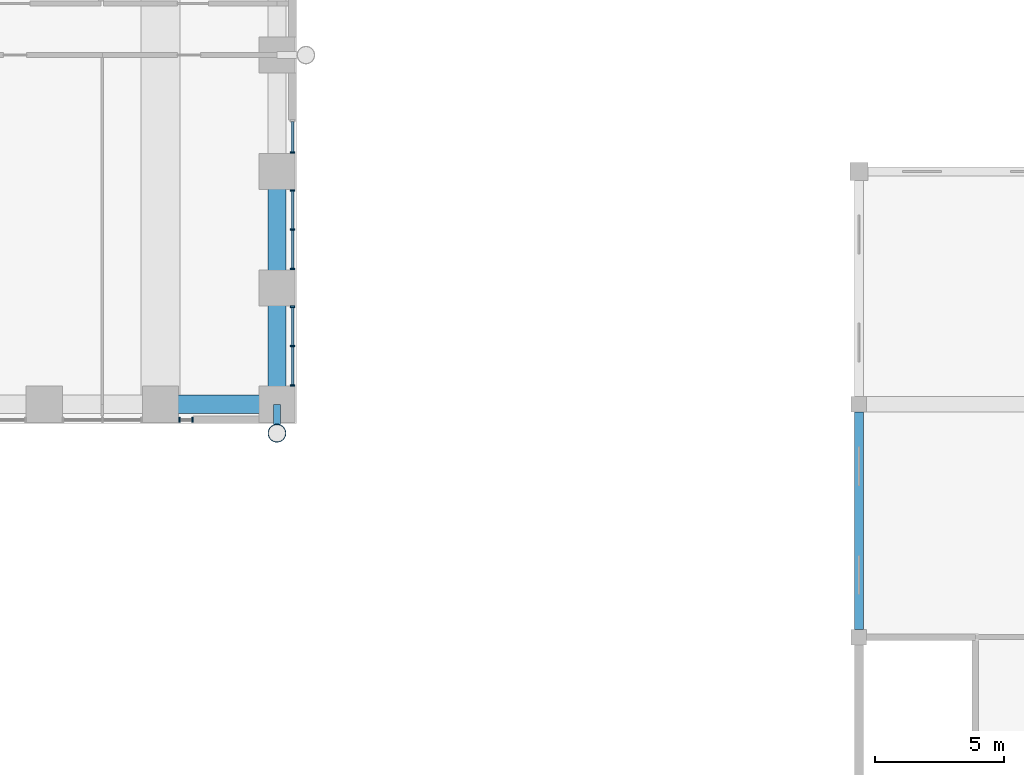
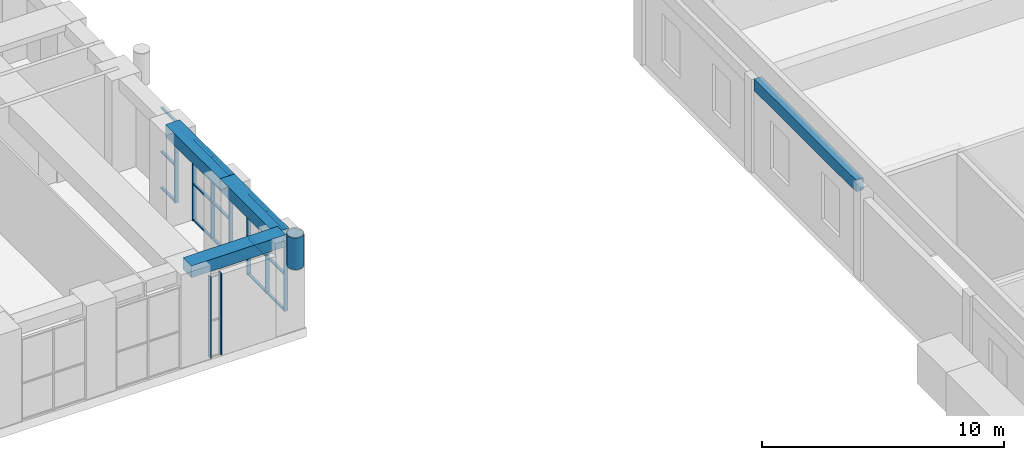
# One storey, part 8 of 35: 26 members, 4 beams, 4 elements without a shape of their own.
"""IFC4 building model written with IfcOpenShell, lengths in metres."""

import ifcopenshell
import ifcopenshell.guid

model = None  # the IFC model being written
_history = None  # IfcOwnerHistory: only IFC2X3 demands one
_inside = {}  # id of a spatial element -> (the spatial element, [elements in it])
_under = {}  # id of a project, library or spatial element -> (it, [spatial elements below it])
_declared = {}  # id of a project -> (the project, [libraries it declares])
_typed = {}  # id of a type object -> (the type object, [elements of that type])
_made_of = {}  # id of a material, layer set ... -> (it, [elements and type objects made of it])


def new_model(schema):
    """Start an empty IFC model of exactly this schema.

    Asked for "IFC4X3", IfcOpenShell would pick the latest addendum, in which some entities
    have other attributes; the version numbers below select the first issue.
    IFC2X3 requires an IfcOwnerHistory on every rooted entity: one is made here for all.
    """
    global model, _history
    if schema == "IFC4X3":
        model = ifcopenshell.file(schema_version=(4, 3, 0, 0))
    else:
        model = ifcopenshell.file(schema=schema)
    _inside.clear()
    _under.clear()
    _declared.clear()
    _typed.clear()
    _made_of.clear()
    _history = None
    if model.schema == "IFC2X3":
        org = make("IfcOrganization", Name="unknown")
        user = make(
            "IfcPersonAndOrganization",
            ThePerson=make("IfcPerson", FamilyName="unknown"),
            TheOrganization=org,
        )
        app = make(
            "IfcApplication",
            ApplicationDeveloper=org,
            Version="unknown",
            ApplicationFullName="unknown",
            ApplicationIdentifier="unknown",
        )
        _history = make(
            "IfcOwnerHistory",
            OwningUser=user,
            OwningApplication=app,
            ChangeAction="ADDED",
            CreationDate=0,
        )
    return model


def make(cls, **values):
    """One entity of the class cls with the attributes given. An attribute that is None is left unset."""
    return model.create_entity(
        cls, **{name: value for name, value in values.items() if value is not None}
    )


def rooted(cls, **values):
    """An entity with a GlobalId (a new one), such as an element, a storey or a relation."""
    return make(cls, GlobalId=ifcopenshell.guid.new(), OwnerHistory=_history, **values)


def si_unit(unit_type, name, prefix=None):
    """IfcSIUnit, for example si_unit("LENGTHUNIT", "METRE", prefix="MILLI")."""
    return make("IfcSIUnit", UnitType=unit_type, Prefix=prefix, Name=name)


def assignment(units):
    """IfcUnitAssignment: the units of a project."""
    return None if units is None else make("IfcUnitAssignment", Units=units)


def point(xyz):
    """IfcCartesianPoint."""
    return None if xyz is None else make("IfcCartesianPoint", Coordinates=xyz)


def direction(xyz):
    """IfcDirection."""
    return None if xyz is None else make("IfcDirection", DirectionRatios=xyz)


def frame(location, z_axis=None, x_axis=None):
    """IfcAxis2Placement3D, a coordinate frame: its origin and axes. An axis left out is left unset."""
    return make(
        "IfcAxis2Placement3D",
        Location=point(location),
        Axis=direction(z_axis),
        RefDirection=direction(x_axis),
    )


def frame_2d(location, x_axis=None):
    """IfcAxis2Placement2D, a coordinate frame in the plane: its origin and x axis."""
    return make(
        "IfcAxis2Placement2D", Location=point(location), RefDirection=direction(x_axis)
    )


def origin():
    """The frame at (0, 0, 0) with its axes left unset."""
    return frame((0.0, 0.0, 0.0))


def origin_2d():
    """The frame at (0, 0) in the plane with its x axis left unset."""
    return frame_2d((0.0, 0.0))


def place(relative_to, where):
    """IfcLocalPlacement: puts the frame where relative to a parent placement (None: the world)."""
    return make(
        "IfcLocalPlacement", PlacementRelTo=relative_to, RelativePlacement=where
    )


def context(
    kind, dimensions, precision=None, world=None, true_north=None, identifier=None
):
    """IfcGeometricRepresentationContext, for example the 3D "Model" context."""
    return make(
        "IfcGeometricRepresentationContext",
        ContextIdentifier=identifier,
        ContextType=kind,
        CoordinateSpaceDimension=dimensions,
        Precision=precision,
        WorldCoordinateSystem=world,
        TrueNorth=true_north,
    )


def subcontext(parent, identifier, kind, view, scale=None):
    """IfcGeometricRepresentationSubContext, for example "Body" below "Model"."""
    return make(
        "IfcGeometricRepresentationSubContext",
        ContextIdentifier=identifier,
        ContextType=kind,
        ParentContext=parent,
        TargetScale=scale,
        TargetView=view,
    )


def project(units=None, contexts=None):
    """IfcProject with its units and contexts."""
    return rooted(
        "IfcProject",
        Name="project",
        RepresentationContexts=contexts,
        UnitsInContext=assignment(units),
    )


def spatial(cls, under=None, at=None, **own):
    """A site, building, storey or space (cls), placed at a placement, below another one or the project."""
    s = rooted(cls, ObjectPlacement=at, **own)
    if under is not None:
        _under.setdefault(under.id(), (under, []))[1].append(s)
    return s


def profile(cls, at=None, kind="AREA", **sizes):
    """A parametric profile (cls). Its sizes go by their IFC names, for example OverallWidth=200.0."""
    return make(cls, ProfileType=kind, Position=at, **sizes)


def rectangle(**sizes):
    """IfcRectangleProfileDef."""
    return profile("IfcRectangleProfileDef", **sizes)


def hollow_circle(**sizes):
    """IfcCircleHollowProfileDef."""
    return profile("IfcCircleHollowProfileDef", **sizes)


def extrude(swept, where, along, depth):
    """IfcExtrudedAreaSolid: the profile swept, set in the frame where, extruded along a direction by depth."""
    return make(
        "IfcExtrudedAreaSolid",
        SweptArea=swept,
        Position=where,
        ExtrudedDirection=direction(along),
        Depth=depth,
    )


def shape(context_of_items, identifier, shape_type, items):
    """IfcShapeRepresentation: the items that make up one representation, for example the "Body"."""
    return make(
        "IfcShapeRepresentation",
        ContextOfItems=context_of_items,
        RepresentationIdentifier=identifier,
        RepresentationType=shape_type,
        Items=items,
    )


def material(Name=None, Category=None):
    """IfcMaterial."""
    return make("IfcMaterial", Name=Name, Category=Category)


def material_profile(
    of_material, cross_section, Name=None, Category=None, Priority=None
):
    """IfcMaterialProfile: a cross section and its material."""
    return make(
        "IfcMaterialProfile",
        Name=Name,
        Material=of_material,
        Profile=cross_section,
        Priority=Priority,
        Category=Category,
    )


def profile_set(profiles, Name=None, composite=None):
    """IfcMaterialProfileSet."""
    return make(
        "IfcMaterialProfileSet",
        Name=Name,
        MaterialProfiles=profiles,
        CompositeProfile=composite,
    )


def made_of(thing, what):
    """Note that an element or type object is made of a material, layer set ...; save() writes the relation."""
    if what is not None:
        _made_of.setdefault(what.id(), (what, []))[1].append(thing)
    return thing


def type_object(cls, material=None, **own):
    """A type object (cls), such as IfcWallType, which elements share."""
    return made_of(rooted(cls, **own), material)


def element(
    cls,
    number,
    at=None,
    inside=None,
    cuts=None,
    type_object=None,
    material=None,
    context=None,
    identifier="Body",
    shape_type=None,
    held_by="IfcProductDefinitionShape",
    body=None,
    shapes=None,
    **own,
):
    """One element of the class cls, such as IfcWall. Its Tag is "e" and its number.

    at: its placement. inside: the storey or other place that contains it. cuts: it is an
    opening in that element (IfcRelVoidsElement). A single representation is given by context,
    identifier, shape_type and body (its items); several are given by shapes. held_by: the class
    of the entity that holds the representations. save() writes the other relations.
    """
    e = rooted(cls, Tag="e%d" % number, ObjectPlacement=at, **own)
    if body is not None:
        shapes = [shape(context, identifier, shape_type, body)]
    if shapes is not None:
        e.Representation = make(held_by, Representations=shapes)
    if inside is not None:
        _inside.setdefault(inside.id(), (inside, []))[1].append(e)
    if cuts is not None:
        rooted(
            "IfcRelVoidsElement", RelatingBuildingElement=cuts, RelatedOpeningElement=e
        )
    if type_object is not None:
        _typed.setdefault(type_object.id(), (type_object, []))[1].append(e)
    return made_of(e, material)


def aggregate(whole, parts):
    """IfcRelAggregates: a whole, such as a stair, and the parts it consists of."""
    return rooted("IfcRelAggregates", RelatingObject=whole, RelatedObjects=parts)


def save(model, path):
    """Write the relations noted so far, then the file.

    IfcRelAggregates (storeys below a building ...), IfcRelContainedInSpatialStructure (elements
    in a storey), IfcRelDefinesByType, IfcRelAssociatesMaterial and IfcRelDeclares: one each for
    every whole, place, type object, material and project.
    """
    for whole, parts in _under.values():
        aggregate(whole, parts)
    for where, things in _inside.values():
        rooted(
            "IfcRelContainedInSpatialStructure",
            RelatedElements=things,
            RelatingStructure=where,
        )
    for kind, things in _typed.values():
        rooted("IfcRelDefinesByType", RelatedObjects=things, RelatingType=kind)
    for what, things in _made_of.values():
        rooted("IfcRelAssociatesMaterial", RelatedObjects=things, RelatingMaterial=what)
    for by, libraries in _declared.values():
        rooted("IfcRelDeclares", RelatingContext=by, RelatedDefinitions=libraries)
    model.write(path)


model = new_model("IFC4")

# Units and contexts
model_context = context("Model", 3, precision=1e-05, world=origin(), true_north=direction((0.0, 1.0)))
body_context = subcontext(model_context, "Body", "Model", "MODEL_VIEW")
ifc_project = project(units=[si_unit("LENGTHUNIT", "METRE"), si_unit("AREAUNIT", "SQUARE_METRE"), si_unit("VOLUMEUNIT", "CUBIC_METRE"), si_unit("PLANEANGLEUNIT", "RADIAN"), si_unit("MASSUNIT", "GRAM", prefix="KILO")], contexts=[model_context])

# Site, building, storey
site_placement = place(None, origin())
site = spatial("IfcSite", under=ifc_project, at=site_placement, CompositionType="ELEMENT")
building_placement = place(site_placement, origin())
building = spatial("IfcBuilding", under=site, at=building_placement, Name="Firuza Court", CompositionType="ELEMENT")
storey_placement = place(building_placement, frame((0.0, 0.0, 24.0)))
storey = spatial("IfcBuildingStorey", under=building, at=storey_placement, Name="L04", CompositionType="ELEMENT", Elevation=24.0)

# Members
ifc_material_1 = material(Name="Steel S355", Category="steel")
ifc_material_profile_1 = material_profile(ifc_material_1, hollow_circle(Radius=0.35546875, WallThickness=0.030029296875, at=origin_2d()), Name="CHS 711x30")
ifc_profile_set_1 = profile_set([ifc_material_profile_1], Name="Steel S355")
member_type_1 = type_object("IfcMemberType", Name="Diagrid node CHS 711x30 S355", PredefinedType="USERDEFINED", material=ifc_profile_set_1)
member_1_placement = place(storey_placement, frame((67.5, 34.8798828125, 3.64990234375), z_axis=(0.0, 0.0, 1.0), x_axis=(1.0, 0.0, 0.0)))
element("IfcMember", 1, at=member_1_placement, inside=storey, type_object=member_type_1, Name="Diagrid node level L04", ObjectType="DIAGRID NODE", PredefinedType="USERDEFINED", context=body_context, shape_type="SweptSolid", body=[
    extrude(hollow_circle(Radius=0.35546875, WallThickness=0.030029296875, at=origin_2d()), origin(), (0.0, 0.0, 1.0), 1.60009765625),
])
ifc_material_2 = material(Name="Steel S355", Category="steel")
ifc_material_profile_2 = material_profile(ifc_material_2, hollow_circle(Radius=0.136474609375, WallThickness=0.012451171875, at=origin_2d()), Name="CHS 273x12.5")
ifc_profile_set_2 = profile_set([ifc_material_profile_2], Name="Steel S355")
member_type_2 = type_object("IfcMemberType", Name="Diagrid tie CHS 273x12.5 S355", PredefinedType="STRUT", material=ifc_profile_set_2)
member_2_placement = place(storey_placement, frame((67.5, 36.0, 4.449951171875), z_axis=(0.0, -1.0, 0.0), x_axis=(1.0, 0.0, 0.0)))
element("IfcMember", 2, at=member_2_placement, inside=storey, type_object=member_type_2, Name="Diagrid tie level L05", PredefinedType="STRUT", context=body_context, shape_type="SweptSolid", body=[
    extrude(hollow_circle(Radius=0.136474609375, WallThickness=0.012451171875, at=origin_2d()), origin(), (0.0, 0.0, 1.0), 1.1201171875),
])

# Curtain wall, members
ifc_material_3 = material(Name="Aluminium curtain wall, triple clear glazing", Category="aluminium")
curtain_wall_type = type_object("IfcCurtainWallType", Name="Podium unitised curtain wall CW1", PredefinedType="NOTDEFINED", material=ifc_material_3)
curtain_wall_1_placement = place(storey_placement, origin())
curtain_wall_1 = element("IfcCurtainWall", 3, at=curtain_wall_1_placement, inside=storey, type_object=curtain_wall_type, Name="Podium unitised curtain wall CW1 L04", PredefinedType="NOTDEFINED")
ifc_material_4 = material(Name="Aluminium EN AW-6060 T66", Category="aluminium")
ifc_material_profile_3 = material_profile(ifc_material_4, rectangle(XDim=0.179931640625, YDim=0.06005859375, at=origin_2d()), Name="Mullion 180 x 60 CW1")
ifc_profile_set_3 = profile_set([ifc_material_profile_3], Name="Aluminium EN AW-6060 T66")
member_type_3 = type_object("IfcMemberType", Name="Mullion 180 x 60 CW1", PredefinedType="MULLION", material=ifc_profile_set_3)
member_3_placement = place(storey_placement, frame((63.72998046875, 35.39990234375, 0.0), z_axis=(0.0, 0.0, 1.0), x_axis=(0.0, 1.0, 0.0)))
member_3 = element("IfcMember", 4, at=member_3_placement, type_object=member_type_3, Name="CW1 mullion 1", PredefinedType="MULLION", context=body_context, shape_type="SweptSolid", body=[
    extrude(rectangle(XDim=0.179931640625, YDim=0.06005859375, at=origin_2d()), origin(), (0.0, 0.0, 1.0), 4.10009765625),
])
member_4_placement = place(storey_placement, frame((64.226806640625, 35.39990234375, 0.0), z_axis=(0.0, 0.0, 1.0), x_axis=(0.0, 1.0, 0.0)))
member_4 = element("IfcMember", 5, at=member_4_placement, type_object=member_type_3, Name="CW1 mullion 2", PredefinedType="MULLION", context=body_context, shape_type="SweptSolid", body=[
    extrude(rectangle(XDim=0.179931640625, YDim=0.06005859375, at=origin_2d()), origin(), (0.0, 0.0, 1.0), 4.10009765625),
])
aggregate(curtain_wall_1, [member_3, member_4])

curtain_wall_2_placement = place(storey_placement, origin())
curtain_wall_2 = element("IfcCurtainWall", 6, at=curtain_wall_2_placement, inside=storey, type_object=curtain_wall_type, Name="Podium unitised curtain wall CW1 L04", PredefinedType="NOTDEFINED")
member_5_placement = place(storey_placement, frame((68.10009765625, 36.72998046875, 0.0), z_axis=(0.0, 0.0, 1.0), x_axis=(-1.0, 0.0, 0.0)))
member_5 = element("IfcMember", 7, at=member_5_placement, type_object=member_type_3, Name="CW1 mullion 1", PredefinedType="MULLION", context=body_context, shape_type="SweptSolid", body=[
    extrude(rectangle(XDim=0.179931640625, YDim=0.06005859375, at=origin_2d()), origin(), (0.0, 0.0, 1.0), 4.10009765625),
])
member_6_placement = place(storey_placement, frame((68.10009765625, 38.25, 0.0), z_axis=(0.0, 0.0, 1.0), x_axis=(-1.0, 0.0, 0.0)))
member_6 = element("IfcMember", 8, at=member_6_placement, type_object=member_type_3, Name="CW1 mullion 2", PredefinedType="MULLION", context=body_context, shape_type="SweptSolid", body=[
    extrude(rectangle(XDim=0.179931640625, YDim=0.06005859375, at=origin_2d()), origin(), (0.0, 0.0, 1.0), 4.10009765625),
])
member_7_placement = place(storey_placement, frame((68.10009765625, 39.77001953125, 0.0), z_axis=(0.0, 0.0, 1.0), x_axis=(-1.0, 0.0, 0.0)))
member_7 = element("IfcMember", 9, at=member_7_placement, type_object=member_type_3, Name="CW1 mullion 3", PredefinedType="MULLION", context=body_context, shape_type="SweptSolid", body=[
    extrude(rectangle(XDim=0.179931640625, YDim=0.06005859375, at=origin_2d()), origin(), (0.0, 0.0, 1.0), 4.10009765625),
])

curtain_wall_3_placement = place(storey_placement, origin())
curtain_wall_3 = element("IfcCurtainWall", 10, at=curtain_wall_3_placement, inside=storey, type_object=curtain_wall_type, Name="Podium unitised curtain wall CW1 L04", PredefinedType="NOTDEFINED")
member_8_placement = place(storey_placement, frame((68.10009765625, 41.22998046875, 0.0), z_axis=(0.0, 0.0, 1.0), x_axis=(-1.0, 0.0, 0.0)))
member_8 = element("IfcMember", 11, at=member_8_placement, type_object=member_type_3, Name="CW1 mullion 1", PredefinedType="MULLION", context=body_context, shape_type="SweptSolid", body=[
    extrude(rectangle(XDim=0.179931640625, YDim=0.06005859375, at=origin_2d()), origin(), (0.0, 0.0, 1.0), 4.10009765625),
])
member_9_placement = place(storey_placement, frame((68.10009765625, 42.75, 0.0), z_axis=(0.0, 0.0, 1.0), x_axis=(-1.0, 0.0, 0.0)))
member_9 = element("IfcMember", 12, at=member_9_placement, type_object=member_type_3, Name="CW1 mullion 2", PredefinedType="MULLION", context=body_context, shape_type="SweptSolid", body=[
    extrude(rectangle(XDim=0.179931640625, YDim=0.06005859375, at=origin_2d()), origin(), (0.0, 0.0, 1.0), 4.10009765625),
])
member_10_placement = place(storey_placement, frame((68.10009765625, 44.27001953125, 0.0), z_axis=(0.0, 0.0, 1.0), x_axis=(-1.0, 0.0, 0.0)))
member_10 = element("IfcMember", 13, at=member_10_placement, type_object=member_type_3, Name="CW1 mullion 3", PredefinedType="MULLION", context=body_context, shape_type="SweptSolid", body=[
    extrude(rectangle(XDim=0.179931640625, YDim=0.06005859375, at=origin_2d()), origin(), (0.0, 0.0, 1.0), 4.10009765625),
])

# Curtain wall, member
curtain_wall_4_placement = place(storey_placement, origin())
curtain_wall_4 = element("IfcCurtainWall", 14, at=curtain_wall_4_placement, inside=storey, type_object=curtain_wall_type, Name="Podium unitised curtain wall CW1 L04", PredefinedType="NOTDEFINED")
member_11_placement = place(storey_placement, frame((68.10009765625, 45.72998046875, 0.0), z_axis=(0.0, 0.0, 1.0), x_axis=(-1.0, 0.0, 0.0)))
member_11 = element("IfcMember", 15, at=member_11_placement, type_object=member_type_3, Name="CW1 mullion 1", PredefinedType="MULLION", context=body_context, shape_type="SweptSolid", body=[
    extrude(rectangle(XDim=0.179931640625, YDim=0.06005859375, at=origin_2d()), origin(), (0.0, 0.0, 1.0), 4.10009765625),
])

# Beams
ifc_material_5 = material(Name="Concrete C40/50", Category="concrete")
ifc_material_profile_4 = material_profile(ifc_material_5, rectangle(XDim=0.35009765625, YDim=0.60009765625, at=origin_2d()), Name="RC 350X600")
ifc_profile_set_4 = profile_set([ifc_material_profile_4], Name="Concrete C40/50")
beam_type_1 = type_object("IfcBeamType", Name="RC RING BEAM 350X600", PredefinedType="BEAM", material=ifc_profile_set_4)
beam_placement = place(storey_placement, frame((90.0, 27.300048828125, 4.39990234375), z_axis=(0.0, 1.0, 0.0), x_axis=(-1.0, 0.0, 0.0)))
element("IfcBeam", 16, at=beam_placement, inside=storey, type_object=beam_type_1, Name="Edge beam W2.1 L04", PredefinedType="BEAM", context=body_context, shape_type="SweptSolid", body=[
    extrude(rectangle(XDim=0.35009765625, YDim=0.60009765625, at=origin_2d()), origin(), (0.0, 0.0, 1.0), 8.39990234375),
])
ifc_material_6 = material(Name="Concrete C40/50", Category="concrete")
ifc_material_profile_5 = material_profile(ifc_material_6, rectangle(XDim=0.699951171875, YDim=0.60009765625, at=origin_2d()), Name="RC 700x600")
ifc_profile_set_5 = profile_set([ifc_material_profile_5], Name="Concrete C40/50")
beam_type_2 = type_object("IfcBeamType", Name="Spandrel beam RC 700x600 C40/50", PredefinedType="BEAM", material=ifc_profile_set_5)
for number, where, z_axis, x_axis, name in (
    (17, (63.0, 36.0, 4.39990234375), (1.0, 0.0, 0.0), (0.0, 1.0, 0.0), "Spandrel beam SP10 level L05"),
    (18, (67.5, 36.0, 4.39990234375), (0.0, 1.0, 0.0), (-1.0, 0.0, 0.0), "Spandrel beam SP10 level L05"),
    (19, (67.5, 40.5, 4.39990234375), (0.0, 1.0, 0.0), (-1.0, 0.0, 0.0), "Spandrel beam SP10 level L05"),
):
    element("IfcBeam", number, at=place(storey_placement, frame(where, z_axis=z_axis, x_axis=x_axis)), inside=storey, type_object=beam_type_2, Name=name, PredefinedType="BEAM", context=body_context, shape_type="SweptSolid", body=[
        extrude(rectangle(XDim=0.699951171875, YDim=0.60009765625, at=origin_2d()), origin(), (0.0, 0.0, 1.0), 4.5),
    ])

# Member
ifc_material_7 = material(Name="Aluminium EN AW-6060 T66", Category="aluminium")
ifc_material_profile_6 = material_profile(ifc_material_7, rectangle(XDim=0.1201171875, YDim=0.06005859375, at=origin_2d()), Name="Transom 120 x 60 CW1")
ifc_profile_set_6 = profile_set([ifc_material_profile_6], Name="Aluminium EN AW-6060 T66")
member_type_4 = type_object("IfcMemberType", Name="Transom 120 x 60 CW1", PredefinedType="USERDEFINED", material=ifc_profile_set_6)
member_12_placement = place(storey_placement, frame((68.10009765625, 36.760009765625, 0.030029296875), z_axis=(0.0, 1.0, 0.0), x_axis=(-1.0, 0.0, 0.0)))
member_12 = element("IfcMember", 20, at=member_12_placement, type_object=member_type_4, Name="CW1 transom 1.1", ObjectType="TRANSOM", PredefinedType="USERDEFINED", context=body_context, shape_type="SweptSolid", body=[
    extrude(rectangle(XDim=0.1201171875, YDim=0.06005859375, at=origin_2d()), origin(), (0.0, 0.0, 1.0), 1.4599609375),
])

member_13_placement = place(storey_placement, frame((68.10009765625, 36.760009765625, 1.844970703125), z_axis=(0.0, 1.0, 0.0), x_axis=(-1.0, 0.0, 0.0)))
member_13 = element("IfcMember", 21, at=member_13_placement, type_object=member_type_4, Name="CW1 transom 1.2", ObjectType="TRANSOM", PredefinedType="USERDEFINED", context=body_context, shape_type="SweptSolid", body=[
    extrude(rectangle(XDim=0.1201171875, YDim=0.06005859375, at=origin_2d()), origin(), (0.0, 0.0, 1.0), 1.4599609375),
])

member_14_placement = place(storey_placement, frame((68.10009765625, 36.760009765625, 4.070068359375), z_axis=(0.0, 1.0, 0.0), x_axis=(-1.0, 0.0, 0.0)))
member_14 = element("IfcMember", 22, at=member_14_placement, type_object=member_type_4, Name="CW1 transom 1.3", ObjectType="TRANSOM", PredefinedType="USERDEFINED", context=body_context, shape_type="SweptSolid", body=[
    extrude(rectangle(XDim=0.1201171875, YDim=0.06005859375, at=origin_2d()), origin(), (0.0, 0.0, 1.0), 1.4599609375),
])

member_15_placement = place(storey_placement, frame((68.10009765625, 38.280029296875, 0.030029296875), z_axis=(0.0, 1.0, 0.0), x_axis=(-1.0, 0.0, 0.0)))
member_15 = element("IfcMember", 23, at=member_15_placement, type_object=member_type_4, Name="CW1 transom 2.1", ObjectType="TRANSOM", PredefinedType="USERDEFINED", context=body_context, shape_type="SweptSolid", body=[
    extrude(rectangle(XDim=0.1201171875, YDim=0.06005859375, at=origin_2d()), origin(), (0.0, 0.0, 1.0), 1.4599609375),
])

member_16_placement = place(storey_placement, frame((68.10009765625, 38.280029296875, 1.844970703125), z_axis=(0.0, 1.0, 0.0), x_axis=(-1.0, 0.0, 0.0)))
member_16 = element("IfcMember", 24, at=member_16_placement, type_object=member_type_4, Name="CW1 transom 2.2", ObjectType="TRANSOM", PredefinedType="USERDEFINED", context=body_context, shape_type="SweptSolid", body=[
    extrude(rectangle(XDim=0.1201171875, YDim=0.06005859375, at=origin_2d()), origin(), (0.0, 0.0, 1.0), 1.4599609375),
])

member_17_placement = place(storey_placement, frame((68.10009765625, 38.280029296875, 4.070068359375), z_axis=(0.0, 1.0, 0.0), x_axis=(-1.0, 0.0, 0.0)))
member_17 = element("IfcMember", 25, at=member_17_placement, type_object=member_type_4, Name="CW1 transom 2.3", ObjectType="TRANSOM", PredefinedType="USERDEFINED", context=body_context, shape_type="SweptSolid", body=[
    extrude(rectangle(XDim=0.1201171875, YDim=0.06005859375, at=origin_2d()), origin(), (0.0, 0.0, 1.0), 1.4599609375),
])

aggregate(curtain_wall_2, [member_5, member_6, member_7, member_12, member_13, member_14, member_15, member_16, member_17])

member_18_placement = place(storey_placement, frame((68.10009765625, 41.260009765625, 0.030029296875), z_axis=(0.0, 1.0, 0.0), x_axis=(-1.0, 0.0, 0.0)))
member_18 = element("IfcMember", 26, at=member_18_placement, type_object=member_type_4, Name="CW1 transom 1.1", ObjectType="TRANSOM", PredefinedType="USERDEFINED", context=body_context, shape_type="SweptSolid", body=[
    extrude(rectangle(XDim=0.1201171875, YDim=0.06005859375, at=origin_2d()), origin(), (0.0, 0.0, 1.0), 1.4599609375),
])

member_19_placement = place(storey_placement, frame((68.10009765625, 41.260009765625, 1.844970703125), z_axis=(0.0, 1.0, 0.0), x_axis=(-1.0, 0.0, 0.0)))
member_19 = element("IfcMember", 27, at=member_19_placement, type_object=member_type_4, Name="CW1 transom 1.2", ObjectType="TRANSOM", PredefinedType="USERDEFINED", context=body_context, shape_type="SweptSolid", body=[
    extrude(rectangle(XDim=0.1201171875, YDim=0.06005859375, at=origin_2d()), origin(), (0.0, 0.0, 1.0), 1.4599609375),
])

member_20_placement = place(storey_placement, frame((68.10009765625, 41.260009765625, 4.070068359375), z_axis=(0.0, 1.0, 0.0), x_axis=(-1.0, 0.0, 0.0)))
member_20 = element("IfcMember", 28, at=member_20_placement, type_object=member_type_4, Name="CW1 transom 1.3", ObjectType="TRANSOM", PredefinedType="USERDEFINED", context=body_context, shape_type="SweptSolid", body=[
    extrude(rectangle(XDim=0.1201171875, YDim=0.06005859375, at=origin_2d()), origin(), (0.0, 0.0, 1.0), 1.4599609375),
])

member_21_placement = place(storey_placement, frame((68.10009765625, 42.780029296875, 0.030029296875), z_axis=(0.0, 1.0, 0.0), x_axis=(-1.0, 0.0, 0.0)))
member_21 = element("IfcMember", 29, at=member_21_placement, type_object=member_type_4, Name="CW1 transom 2.1", ObjectType="TRANSOM", PredefinedType="USERDEFINED", context=body_context, shape_type="SweptSolid", body=[
    extrude(rectangle(XDim=0.1201171875, YDim=0.06005859375, at=origin_2d()), origin(), (0.0, 0.0, 1.0), 1.4599609375),
])

member_22_placement = place(storey_placement, frame((68.10009765625, 42.780029296875, 1.844970703125), z_axis=(0.0, 1.0, 0.0), x_axis=(-1.0, 0.0, 0.0)))
member_22 = element("IfcMember", 30, at=member_22_placement, type_object=member_type_4, Name="CW1 transom 2.2", ObjectType="TRANSOM", PredefinedType="USERDEFINED", context=body_context, shape_type="SweptSolid", body=[
    extrude(rectangle(XDim=0.1201171875, YDim=0.06005859375, at=origin_2d()), origin(), (0.0, 0.0, 1.0), 1.4599609375),
])

member_23_placement = place(storey_placement, frame((68.10009765625, 42.780029296875, 4.070068359375), z_axis=(0.0, 1.0, 0.0), x_axis=(-1.0, 0.0, 0.0)))
member_23 = element("IfcMember", 31, at=member_23_placement, type_object=member_type_4, Name="CW1 transom 2.3", ObjectType="TRANSOM", PredefinedType="USERDEFINED", context=body_context, shape_type="SweptSolid", body=[
    extrude(rectangle(XDim=0.1201171875, YDim=0.06005859375, at=origin_2d()), origin(), (0.0, 0.0, 1.0), 1.4599609375),
])

aggregate(curtain_wall_3, [member_8, member_9, member_10, member_18, member_19, member_20, member_21, member_22, member_23])

member_24_placement = place(storey_placement, frame((68.10009765625, 45.760009765625, 0.030029296875), z_axis=(0.0, 1.0, 0.0), x_axis=(-1.0, 0.0, 0.0)))
member_24 = element("IfcMember", 32, at=member_24_placement, type_object=member_type_4, Name="CW1 transom 1.1", ObjectType="TRANSOM", PredefinedType="USERDEFINED", context=body_context, shape_type="SweptSolid", body=[
    extrude(rectangle(XDim=0.1201171875, YDim=0.06005859375, at=origin_2d()), origin(), (0.0, 0.0, 1.0), 1.1708984375),
])

member_25_placement = place(storey_placement, frame((68.10009765625, 45.760009765625, 1.844970703125), z_axis=(0.0, 1.0, 0.0), x_axis=(-1.0, 0.0, 0.0)))
member_25 = element("IfcMember", 33, at=member_25_placement, type_object=member_type_4, Name="CW1 transom 1.2", ObjectType="TRANSOM", PredefinedType="USERDEFINED", context=body_context, shape_type="SweptSolid", body=[
    extrude(rectangle(XDim=0.1201171875, YDim=0.06005859375, at=origin_2d()), origin(), (0.0, 0.0, 1.0), 1.1708984375),
])

member_26_placement = place(storey_placement, frame((68.10009765625, 45.760009765625, 4.070068359375), z_axis=(0.0, 1.0, 0.0), x_axis=(-1.0, 0.0, 0.0)))
member_26 = element("IfcMember", 34, at=member_26_placement, type_object=member_type_4, Name="CW1 transom 1.3", ObjectType="TRANSOM", PredefinedType="USERDEFINED", context=body_context, shape_type="SweptSolid", body=[
    extrude(rectangle(XDim=0.1201171875, YDim=0.06005859375, at=origin_2d()), origin(), (0.0, 0.0, 1.0), 1.1708984375),
])

aggregate(curtain_wall_4, [member_11, member_24, member_25, member_26])

save(model, "model.ifc")
